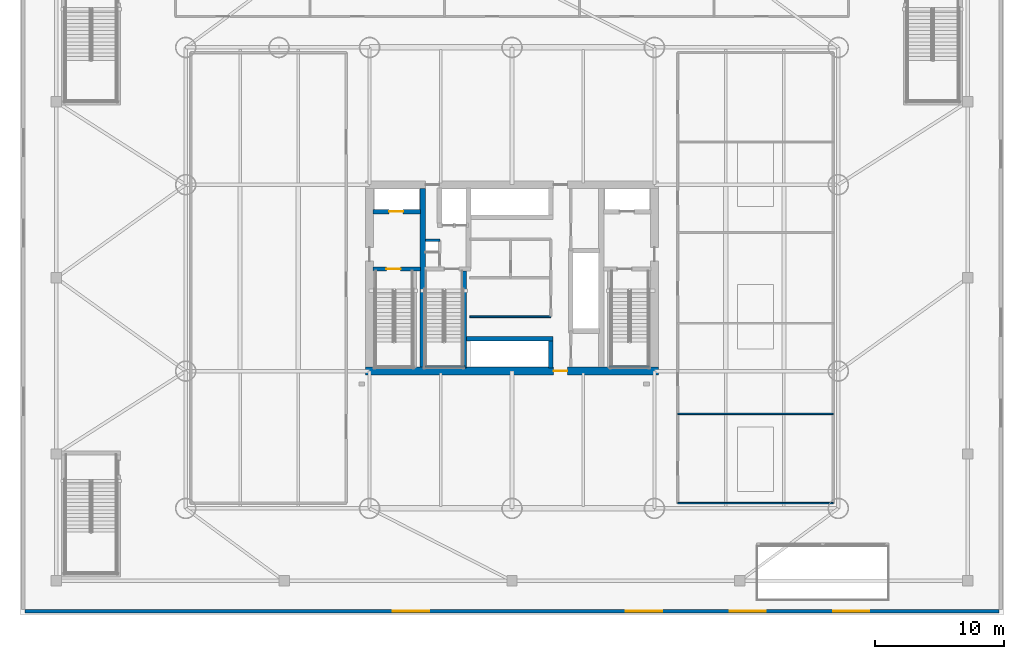
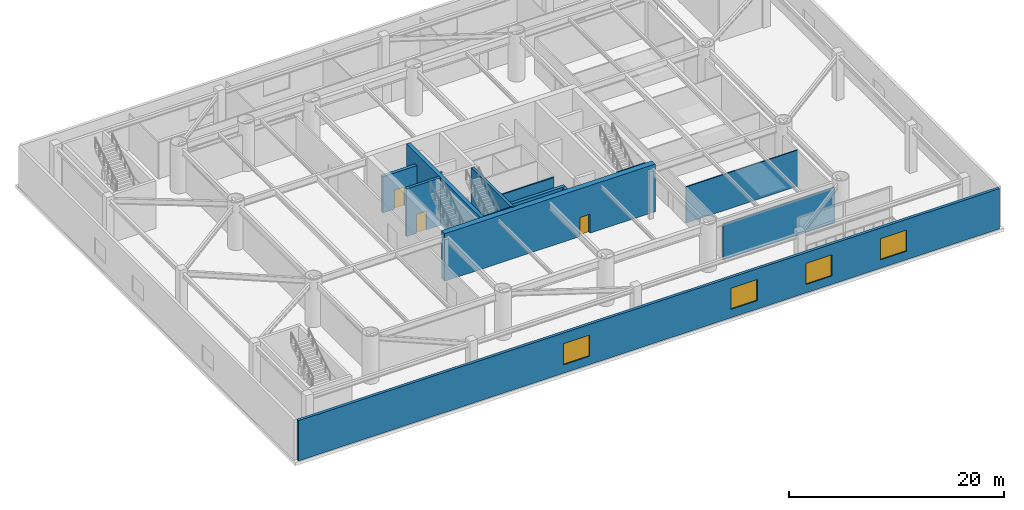
# One storey, part 6 of 16: 14 walls, 4 windows, 3 doors, 7 openings.
"""IFC4 building model written with IfcOpenShell, lengths in metres."""

import ifcopenshell
import ifcopenshell.guid

model = None  # the IFC model being written
_history = None  # IfcOwnerHistory: only IFC2X3 demands one
_inside = {}  # id of a spatial element -> (the spatial element, [elements in it])
_under = {}  # id of a project, library or spatial element -> (it, [spatial elements below it])
_declared = {}  # id of a project -> (the project, [libraries it declares])
_typed = {}  # id of a type object -> (the type object, [elements of that type])
_made_of = {}  # id of a material, layer set ... -> (it, [elements and type objects made of it])


def new_model(schema):
    """Start an empty IFC model of exactly this schema.

    Asked for "IFC4X3", IfcOpenShell would pick the latest addendum, in which some entities
    have other attributes; the version numbers below select the first issue.
    IFC2X3 requires an IfcOwnerHistory on every rooted entity: one is made here for all.
    """
    global model, _history
    if schema == "IFC4X3":
        model = ifcopenshell.file(schema_version=(4, 3, 0, 0))
    else:
        model = ifcopenshell.file(schema=schema)
    _inside.clear()
    _under.clear()
    _declared.clear()
    _typed.clear()
    _made_of.clear()
    _history = None
    if model.schema == "IFC2X3":
        org = make("IfcOrganization", Name="unknown")
        user = make(
            "IfcPersonAndOrganization",
            ThePerson=make("IfcPerson", FamilyName="unknown"),
            TheOrganization=org,
        )
        app = make(
            "IfcApplication",
            ApplicationDeveloper=org,
            Version="unknown",
            ApplicationFullName="unknown",
            ApplicationIdentifier="unknown",
        )
        _history = make(
            "IfcOwnerHistory",
            OwningUser=user,
            OwningApplication=app,
            ChangeAction="ADDED",
            CreationDate=0,
        )
    return model


def make(cls, **values):
    """One entity of the class cls with the attributes given. An attribute that is None is left unset."""
    return model.create_entity(
        cls, **{name: value for name, value in values.items() if value is not None}
    )


def rooted(cls, **values):
    """An entity with a GlobalId (a new one), such as an element, a storey or a relation."""
    return make(cls, GlobalId=ifcopenshell.guid.new(), OwnerHistory=_history, **values)


def si_unit(unit_type, name, prefix=None):
    """IfcSIUnit, for example si_unit("LENGTHUNIT", "METRE", prefix="MILLI")."""
    return make("IfcSIUnit", UnitType=unit_type, Prefix=prefix, Name=name)


def assignment(units):
    """IfcUnitAssignment: the units of a project."""
    return None if units is None else make("IfcUnitAssignment", Units=units)


def point(xyz):
    """IfcCartesianPoint."""
    return None if xyz is None else make("IfcCartesianPoint", Coordinates=xyz)


def direction(xyz):
    """IfcDirection."""
    return None if xyz is None else make("IfcDirection", DirectionRatios=xyz)


def frame(location, z_axis=None, x_axis=None):
    """IfcAxis2Placement3D, a coordinate frame: its origin and axes. An axis left out is left unset."""
    return make(
        "IfcAxis2Placement3D",
        Location=point(location),
        Axis=direction(z_axis),
        RefDirection=direction(x_axis),
    )


def frame_2d(location, x_axis=None):
    """IfcAxis2Placement2D, a coordinate frame in the plane: its origin and x axis."""
    return make(
        "IfcAxis2Placement2D", Location=point(location), RefDirection=direction(x_axis)
    )


def origin():
    """The frame at (0, 0, 0) with its axes left unset."""
    return frame((0.0, 0.0, 0.0))


def place(relative_to, where):
    """IfcLocalPlacement: puts the frame where relative to a parent placement (None: the world)."""
    return make(
        "IfcLocalPlacement", PlacementRelTo=relative_to, RelativePlacement=where
    )


def context(
    kind, dimensions, precision=None, world=None, true_north=None, identifier=None
):
    """IfcGeometricRepresentationContext, for example the 3D "Model" context."""
    return make(
        "IfcGeometricRepresentationContext",
        ContextIdentifier=identifier,
        ContextType=kind,
        CoordinateSpaceDimension=dimensions,
        Precision=precision,
        WorldCoordinateSystem=world,
        TrueNorth=true_north,
    )


def subcontext(parent, identifier, kind, view, scale=None):
    """IfcGeometricRepresentationSubContext, for example "Body" below "Model"."""
    return make(
        "IfcGeometricRepresentationSubContext",
        ContextIdentifier=identifier,
        ContextType=kind,
        ParentContext=parent,
        TargetScale=scale,
        TargetView=view,
    )


def project(units=None, contexts=None):
    """IfcProject with its units and contexts."""
    return rooted(
        "IfcProject",
        Name="project",
        RepresentationContexts=contexts,
        UnitsInContext=assignment(units),
    )


def spatial(cls, under=None, at=None, **own):
    """A site, building, storey or space (cls), placed at a placement, below another one or the project."""
    s = rooted(cls, ObjectPlacement=at, **own)
    if under is not None:
        _under.setdefault(under.id(), (under, []))[1].append(s)
    return s


def profile(cls, at=None, kind="AREA", **sizes):
    """A parametric profile (cls). Its sizes go by their IFC names, for example OverallWidth=200.0."""
    return make(cls, ProfileType=kind, Position=at, **sizes)


def rectangle(**sizes):
    """IfcRectangleProfileDef."""
    return profile("IfcRectangleProfileDef", **sizes)


def extrude(swept, where, along, depth):
    """IfcExtrudedAreaSolid: the profile swept, set in the frame where, extruded along a direction by depth."""
    return make(
        "IfcExtrudedAreaSolid",
        SweptArea=swept,
        Position=where,
        ExtrudedDirection=direction(along),
        Depth=depth,
    )


def shape(context_of_items, identifier, shape_type, items):
    """IfcShapeRepresentation: the items that make up one representation, for example the "Body"."""
    return make(
        "IfcShapeRepresentation",
        ContextOfItems=context_of_items,
        RepresentationIdentifier=identifier,
        RepresentationType=shape_type,
        Items=items,
    )


def material(Name=None, Category=None):
    """IfcMaterial."""
    return make("IfcMaterial", Name=Name, Category=Category)


def layer(
    of_material, thickness, ventilated=None, Name=None, Category=None, Priority=None
):
    """IfcMaterialLayer: one layer of a wall or slab, of a material (None: an air gap)."""
    return make(
        "IfcMaterialLayer",
        Material=of_material,
        LayerThickness=thickness,
        IsVentilated=ventilated,
        Name=Name,
        Category=Category,
        Priority=Priority,
    )


def layer_set(layers, Name=None):
    """IfcMaterialLayerSet."""
    return make("IfcMaterialLayerSet", MaterialLayers=layers, LayerSetName=Name)


def made_of(thing, what):
    """Note that an element or type object is made of a material, layer set ...; save() writes the relation."""
    if what is not None:
        _made_of.setdefault(what.id(), (what, []))[1].append(thing)
    return thing


def type_object(cls, material=None, **own):
    """A type object (cls), such as IfcWallType, which elements share."""
    return made_of(rooted(cls, **own), material)


def element(
    cls,
    number,
    at=None,
    inside=None,
    cuts=None,
    type_object=None,
    material=None,
    context=None,
    identifier="Body",
    shape_type=None,
    held_by="IfcProductDefinitionShape",
    body=None,
    shapes=None,
    **own,
):
    """One element of the class cls, such as IfcWall. Its Tag is "e" and its number.

    at: its placement. inside: the storey or other place that contains it. cuts: it is an
    opening in that element (IfcRelVoidsElement). A single representation is given by context,
    identifier, shape_type and body (its items); several are given by shapes. held_by: the class
    of the entity that holds the representations. save() writes the other relations.
    """
    e = rooted(cls, Tag="e%d" % number, ObjectPlacement=at, **own)
    if body is not None:
        shapes = [shape(context, identifier, shape_type, body)]
    if shapes is not None:
        e.Representation = make(held_by, Representations=shapes)
    if inside is not None:
        _inside.setdefault(inside.id(), (inside, []))[1].append(e)
    if cuts is not None:
        rooted(
            "IfcRelVoidsElement", RelatingBuildingElement=cuts, RelatedOpeningElement=e
        )
    if type_object is not None:
        _typed.setdefault(type_object.id(), (type_object, []))[1].append(e)
    return made_of(e, material)


def fill(opening, filler):
    """IfcRelFillsElement: the door or window that sits in an opening."""
    return rooted(
        "IfcRelFillsElement",
        RelatingOpeningElement=opening,
        RelatedBuildingElement=filler,
    )


def aggregate(whole, parts):
    """IfcRelAggregates: a whole, such as a stair, and the parts it consists of."""
    return rooted("IfcRelAggregates", RelatingObject=whole, RelatedObjects=parts)


def save(model, path):
    """Write the relations noted so far, then the file.

    IfcRelAggregates (storeys below a building ...), IfcRelContainedInSpatialStructure (elements
    in a storey), IfcRelDefinesByType, IfcRelAssociatesMaterial and IfcRelDeclares: one each for
    every whole, place, type object, material and project.
    """
    for whole, parts in _under.values():
        aggregate(whole, parts)
    for where, things in _inside.values():
        rooted(
            "IfcRelContainedInSpatialStructure",
            RelatedElements=things,
            RelatingStructure=where,
        )
    for kind, things in _typed.values():
        rooted("IfcRelDefinesByType", RelatedObjects=things, RelatingType=kind)
    for what, things in _made_of.values():
        rooted("IfcRelAssociatesMaterial", RelatedObjects=things, RelatingMaterial=what)
    for by, libraries in _declared.values():
        rooted("IfcRelDeclares", RelatingContext=by, RelatedDefinitions=libraries)
    model.write(path)


model = new_model("IFC4")

# Units and contexts
model_context = context("Model", 3, precision=1e-05, world=origin(), true_north=direction((0.0, 1.0)))
body_context = subcontext(model_context, "Body", "Model", "MODEL_VIEW")
ifc_project = project(units=[si_unit("LENGTHUNIT", "METRE"), si_unit("AREAUNIT", "SQUARE_METRE"), si_unit("VOLUMEUNIT", "CUBIC_METRE"), si_unit("PLANEANGLEUNIT", "RADIAN"), si_unit("MASSUNIT", "GRAM", prefix="KILO")], contexts=[model_context])

# Site, building, storey
site_placement = place(None, origin())
site = spatial("IfcSite", under=ifc_project, at=site_placement, CompositionType="ELEMENT")
building_placement = place(site_placement, origin())
building = spatial("IfcBuilding", under=site, at=building_placement, Name="Bramvorn Convention Spire", CompositionType="ELEMENT")
storey_placement = place(building_placement, frame((0.0, 0.0, 18.60009765625)))
storey = spatial("IfcBuildingStorey", under=building, at=storey_placement, Name="L03", CompositionType="ELEMENT", Elevation=18.60009765625)

# Wall, opening, door
ifc_material_1 = material(Name="Concrete C60/70", Category="concrete")
ifc_layer_1 = layer(ifc_material_1, 0.60009765625)
ifc_layer_set_1 = layer_set([ifc_layer_1], Name="Concrete C60/70 - WL-CORE-600")
wall_type_1 = type_object("IfcWallType", Name="WL-CORE-600", PredefinedType="SHEAR", material=ifc_layer_set_1)
wall_1_placement = place(storey_placement, frame((26.699951171875, 18.800048828125, 0.0), z_axis=(0.0, 0.0, 1.0), x_axis=(1.0, 0.0, 0.0)))
wall_1 = element("IfcWall", 1, at=wall_1_placement, inside=storey, type_object=wall_type_1, Name="L03 South RC core shear wall", PredefinedType="SHEAR", context=body_context, shape_type="SweptSolid", body=[
    extrude(rectangle(XDim=22.60009765625, YDim=0.60009765625, at=frame_2d((11.300048828125, 0.0))), origin(), (0.0, 0.0, 1.0), 5.39990234375),
])
opening_1_placement = place(wall_1_placement, frame((14.52001953125, 0.0, 0.0)))
opening_1 = element("IfcOpeningElement", 2, at=opening_1_placement, cuts=wall_1, Name="Opening DL-105", PredefinedType="OPENING", context=body_context, shape_type="SweptSolid", body=[
    extrude(rectangle(XDim=1.050048828125, YDim=2.14990234375, at=frame_2d((0.52490234375, 1.074951171875))), frame((0.0, 0.31005859375, 0.0), z_axis=(0.0, -1.0, 0.0), x_axis=(1.0, 0.0, 0.0)), (0.0, 0.0, 1.0), 0.6201171875),
])
ifc_material_2 = material(Name="Smoke-Sealed Fire Lobby Timber-Core Door", Category="wood")
door_type_1 = type_object("IfcDoorType", Name="DR-LOBBY-1050", OperationType="NOTDEFINED", PredefinedType="DOOR", material=ifc_material_2)
door_1_placement = place(opening_1_placement, origin())
door_1 = element("IfcDoor", 3, at=door_1_placement, inside=storey, type_object=door_type_1, Name="L03 South Lift Lobby fire door", OperationType="SINGLE_SWING_RIGHT", OverallHeight=2.14990234375, OverallWidth=1.050048828125, PredefinedType="DOOR", context=body_context, shape_type="SweptSolid", body=[
    extrude(rectangle(XDim=1.050048828125, YDim=2.14990234375, at=frame_2d((0.52490234375, 1.074951171875))), frame((0.0, 0.02490234375, 0.0), z_axis=(0.0, -1.0, 0.0), x_axis=(1.0, 0.0, 0.0)), (0.0, 0.0, 1.0), 0.050048828125),
])
fill(opening_1, door_1)

ifc_material_3 = material(Name="Concrete C50/60", Category="concrete")
ifc_layer_2 = layer(ifc_material_3, 0.35009765625)
ifc_layer_set_2 = layer_set([ifc_layer_2], Name="Concrete C50/60 - WL-CORE-INT-350")
wall_type_2 = type_object("IfcWallType", Name="WL-CORE-INT-350", PredefinedType="SHEAR", material=ifc_layer_set_2)
wall_2_placement = place(storey_placement, frame((27.25, 31.1201171875, 0.0), z_axis=(0.0, 0.0, 1.0), x_axis=(1.0, 0.0, 0.0)))
wall_2 = element("IfcWall", 4, at=wall_2_placement, inside=storey, type_object=wall_type_2, Name="L03 FE1 shaft front wall", PredefinedType="SHEAR", context=body_context, shape_type="SweptSolid", body=[
    extrude(rectangle(XDim=3.669921875, YDim=0.35009765625, at=frame_2d((1.8349609375, 0.0))), origin(), (0.0, 0.0, 1.0), 4.10986328125),
])
opening_2_placement = place(wall_2_placement, frame((1.25, 0.0, 0.0)))
opening_2 = element("IfcOpeningElement", 5, at=opening_2_placement, cuts=wall_2, Name="Opening LD-110", PredefinedType="OPENING", context=body_context, shape_type="SweptSolid", body=[
    extrude(rectangle(XDim=1.10009765625, YDim=2.14990234375, at=frame_2d((0.550048828125, 1.074951171875))), frame((0.0, 0.18505859375, 0.0), z_axis=(0.0, -1.0, 0.0), x_axis=(1.0, 0.0, 0.0)), (0.0, 0.0, 1.0), 0.3701171875),
])
ifc_material_4 = material(Name="Firefighting & Service Lift Sliding Landing Door", Category="steel")
door_type_2 = type_object("IfcDoorType", Name="DR-LIFT-LD-1100", OperationType="NOTDEFINED", PredefinedType="DOOR", material=ifc_material_4)
door_2_placement = place(opening_2_placement, origin())
door_2 = element("IfcDoor", 6, at=door_2_placement, inside=storey, type_object=door_type_2, Name="L03 Lift FE1 Sliding Landing Door", OperationType="SLIDING_TO_LEFT", OverallHeight=2.14990234375, OverallWidth=1.10009765625, PredefinedType="DOOR", context=body_context, shape_type="SweptSolid", body=[
    extrude(rectangle(XDim=1.10009765625, YDim=2.14990234375, at=frame_2d((0.550048828125, 1.074951171875))), frame((0.0, 0.02490234375, 0.0), z_axis=(0.0, -1.0, 0.0), x_axis=(1.0, 0.0, 0.0)), (0.0, 0.0, 1.0), 0.050048828125),
])
fill(opening_2, door_2)

# Walls
wall_3_placement = place(storey_placement, frame((34.489990234375, 21.300048828125, 0.0), z_axis=(0.0, 0.0, 1.0), x_axis=(1.0, 0.0, 0.0)))
element("IfcWall", 7, at=wall_3_placement, inside=storey, type_object=wall_type_2, Name="L03 Mid-rise bank north landing wall", PredefinedType="SHEAR", context=body_context, shape_type="SweptSolid", body=[
    extrude(rectangle(XDim=6.679931640625, YDim=0.35009765625, at=frame_2d((3.33984375, 0.0))), origin(), (0.0, 0.0, 1.0), 4.10986328125),
])
wall_4_placement = place(storey_placement, frame((41.0, 19.050048828125, 0.0), z_axis=(0.0, 0.0, 1.0), x_axis=(0.0, 1.0, 0.0)))
element("IfcWall", 8, at=wall_4_placement, inside=storey, type_object=wall_type_2, Name="L03 Mid-rise bank east cheek wall", PredefinedType="SHEAR", context=body_context, shape_type="SweptSolid", body=[
    extrude(rectangle(XDim=2.079833984375, YDim=0.35009765625, at=frame_2d((1.0400390625, 0.0))), origin(), (0.0, 0.0, 1.0), 4.10986328125),
])
ifc_layer_3 = layer(ifc_material_1, 0.39990234375)
ifc_layer_set_3 = layer_set([ifc_layer_3], Name="Concrete C60/70 - WL-CORE-INT-400")
wall_type_3 = type_object("IfcWallType", Name="WL-CORE-INT-400", PredefinedType="SHEAR", material=ifc_layer_set_3)
wall_5_placement = place(storey_placement, frame((31.10009765625, 19.10009765625, 0.0), z_axis=(0.0, 0.0, 1.0), x_axis=(0.0, 1.0, 0.0)))
element("IfcWall", 9, at=wall_5_placement, inside=storey, type_object=wall_type_3, Name="L03 West internal core shear web", PredefinedType="SHEAR", context=body_context, shape_type="SweptSolid", body=[
    extrude(rectangle(XDim=13.7998046875, YDim=0.39990234375, at=frame_2d((6.89990234375, 0.0))), origin(), (0.0, 0.0, 1.0), 5.39990234375),
])

# Wall, openings, windows
ifc_material_5 = material(Name="Precast Concrete C40/50 with Bronze Terracotta Rainscreen", Category="masonry")
ifc_layer_4 = layer(ifc_material_5, 0.300048828125)
ifc_layer_set_4 = layer_set([ifc_layer_4], Name="Precast Concrete C40/50 with Bronze Terracotta Rainscreen - WL-EXT-BRONZE-300")
wall_type_4 = type_object("IfcWallType", Name="WL-EXT-BRONZE-300", PredefinedType="SOLIDWALL", material=ifc_layer_set_4)
wall_6_placement = place(storey_placement, frame((75.60009765625, 0.25, 0.0), z_axis=(0.0, 0.0, 1.0), x_axis=(-1.0, 0.0, 0.0)))
wall_6 = element("IfcWall", 10, at=wall_6_placement, inside=storey, type_object=wall_type_4, Name="L03 South podium bronze facade wall", PredefinedType="SOLIDWALL", context=body_context, shape_type="SweptSolid", body=[
    extrude(rectangle(XDim=75.2001953125, YDim=0.300048828125, at=frame_2d((37.60009765625, 0.0))), origin(), (0.0, 0.0, 1.0), 4.559814453125),
])
opening_3_placement = place(wall_6_placement, frame((10.0, 0.0, 0.949951171875)))
opening_3 = element("IfcOpeningElement", 11, at=opening_3_placement, cuts=wall_6, Name="Opening WN09", PredefinedType="OPENING", context=body_context, shape_type="SweptSolid", body=[
    extrude(rectangle(XDim=2.800048828125, YDim=2.39990234375, at=frame_2d((1.39990234375, 1.199951171875))), frame((0.0, 0.159912109375, 0.0), z_axis=(0.0, -1.0, 0.0), x_axis=(1.0, 0.0, 0.0)), (0.0, 0.0, 1.0), 0.320068359375),
])
opening_4_placement = place(wall_6_placement, frame((18.0, 0.0, 0.949951171875)))
opening_4 = element("IfcOpeningElement", 12, at=opening_4_placement, cuts=wall_6, Name="Opening WN09", PredefinedType="OPENING", context=body_context, shape_type="SweptSolid", body=[
    extrude(rectangle(XDim=2.800048828125, YDim=2.39990234375, at=frame_2d((1.39990234375, 1.199951171875))), frame((0.0, 0.159912109375, 0.0), z_axis=(0.0, -1.0, 0.0), x_axis=(1.0, 0.0, 0.0)), (0.0, 0.0, 1.0), 0.320068359375),
])
opening_5_placement = place(wall_6_placement, frame((26.0, 0.0, 0.949951171875)))
opening_5 = element("IfcOpeningElement", 13, at=opening_5_placement, cuts=wall_6, Name="Opening WN09", PredefinedType="OPENING", context=body_context, shape_type="SweptSolid", body=[
    extrude(rectangle(XDim=2.800048828125, YDim=2.39990234375, at=frame_2d((1.39990234375, 1.199951171875))), frame((0.0, 0.159912109375, 0.0), z_axis=(0.0, -1.0, 0.0), x_axis=(1.0, 0.0, 0.0)), (0.0, 0.0, 1.0), 0.320068359375),
])
opening_6_placement = place(wall_6_placement, frame((44.0, 0.0, 0.949951171875)))
opening_6 = element("IfcOpeningElement", 14, at=opening_6_placement, cuts=wall_6, Name="Opening WN09", PredefinedType="OPENING", context=body_context, shape_type="SweptSolid", body=[
    extrude(rectangle(XDim=2.800048828125, YDim=2.39990234375, at=frame_2d((1.39990234375, 1.199951171875))), frame((0.0, 0.159912109375, 0.0), z_axis=(0.0, -1.0, 0.0), x_axis=(1.0, 0.0, 0.0)), (0.0, 0.0, 1.0), 0.320068359375),
])
ifc_material_6 = material(Name="Thermally Broken Bronze Aluminium & Triple Low-E Glass", Category="aluminium")
window_type = type_object("IfcWindowType", Name="WN-POD-2800X2400", PartitioningType="SINGLE_PANEL", PredefinedType="WINDOW", material=ifc_material_6)
window_1_placement = place(opening_3_placement, origin())
window_1 = element("IfcWindow", 15, at=window_1_placement, inside=storey, type_object=window_type, Name="L03 South operable convention window 1", OverallHeight=2.39990234375, OverallWidth=2.800048828125, PartitioningType="SINGLE_PANEL", PredefinedType="WINDOW", context=body_context, shape_type="SweptSolid", body=[
    extrude(rectangle(XDim=2.800048828125, YDim=2.39990234375, at=frame_2d((1.39990234375, 1.199951171875))), frame((0.0, 0.030029296875, 0.0), z_axis=(0.0, -1.0, 0.0), x_axis=(1.0, 0.0, 0.0)), (0.0, 0.0, 1.0), 0.06005859375),
])
fill(opening_3, window_1)
window_2_placement = place(opening_4_placement, origin())
window_2 = element("IfcWindow", 16, at=window_2_placement, inside=storey, type_object=window_type, Name="L03 South operable convention window 2", OverallHeight=2.39990234375, OverallWidth=2.800048828125, PartitioningType="SINGLE_PANEL", PredefinedType="WINDOW", context=body_context, shape_type="SweptSolid", body=[
    extrude(rectangle(XDim=2.800048828125, YDim=2.39990234375, at=frame_2d((1.39990234375, 1.199951171875))), frame((0.0, 0.030029296875, 0.0), z_axis=(0.0, -1.0, 0.0), x_axis=(1.0, 0.0, 0.0)), (0.0, 0.0, 1.0), 0.06005859375),
])
fill(opening_4, window_2)
window_3_placement = place(opening_5_placement, origin())
window_3 = element("IfcWindow", 17, at=window_3_placement, inside=storey, type_object=window_type, Name="L03 South operable convention window 3", OverallHeight=2.39990234375, OverallWidth=2.800048828125, PartitioningType="SINGLE_PANEL", PredefinedType="WINDOW", context=body_context, shape_type="SweptSolid", body=[
    extrude(rectangle(XDim=2.800048828125, YDim=2.39990234375, at=frame_2d((1.39990234375, 1.199951171875))), frame((0.0, 0.030029296875, 0.0), z_axis=(0.0, -1.0, 0.0), x_axis=(1.0, 0.0, 0.0)), (0.0, 0.0, 1.0), 0.06005859375),
])
fill(opening_5, window_3)
window_4_placement = place(opening_6_placement, origin())
window_4 = element("IfcWindow", 18, at=window_4_placement, inside=storey, type_object=window_type, Name="L03 South operable convention window 4", OverallHeight=2.39990234375, OverallWidth=2.800048828125, PartitioningType="SINGLE_PANEL", PredefinedType="WINDOW", context=body_context, shape_type="SweptSolid", body=[
    extrude(rectangle(XDim=2.800048828125, YDim=2.39990234375, at=frame_2d((1.39990234375, 1.199951171875))), frame((0.0, 0.030029296875, 0.0), z_axis=(0.0, -1.0, 0.0), x_axis=(1.0, 0.0, 0.0)), (0.0, 0.0, 1.0), 0.06005859375),
])
fill(opening_6, window_4)

# Walls
ifc_material_7 = material(Name="Lightweight En-Suite & Wet-Wall Partition", Category="gypsum")
ifc_layer_5 = layer(ifc_material_7, 0.110107421875)
ifc_layer_set_5 = layer_set([ifc_layer_5], Name="Lightweight En-Suite & Wet-Wall Partition - WL-PART-110")
wall_type_5 = type_object("IfcWallType", Name="WL-PART-110", PredefinedType="PARTITIONING", material=ifc_layer_set_5)
for number, where, z_axis, x_axis, name in (
    (19, (50.800048828125, 8.60009765625, 0.0), (0.0, 0.0, 1.0), (1.0, 0.0, 0.0), "L03 Seminar divider 0"),
    (20, (50.800048828125, 15.5, 0.0), (0.0, 0.0, 1.0), (1.0, 0.0, 0.0), "L03 Seminar divider 1"),
):
    element("IfcWall", number, at=place(storey_placement, frame(where, z_axis=z_axis, x_axis=x_axis)), inside=storey, type_object=wall_type_5, Name=name, PredefinedType="PARTITIONING", context=body_context, shape_type="SweptSolid", body=[
        extrude(rectangle(XDim=12.0, YDim=0.110107421875, at=frame_2d((6.0, 0.0))), origin(), (0.0, 0.0, 1.0), 4.10986328125),
    ])
ifc_material_8 = material(Name="Acoustic Metal-Stud Tenant/Corridor Partition", Category="gypsum")
ifc_layer_6 = layer(ifc_material_8, 0.14990234375)
ifc_layer_set_6 = layer_set([ifc_layer_6], Name="Acoustic Metal-Stud Tenant/Corridor Partition - WL-PART-150")
wall_type_6 = type_object("IfcWallType", Name="WL-PART-150", PredefinedType="PARTITIONING", material=ifc_layer_set_6)
wall_7_placement = place(storey_placement, frame((34.75, 23.0, 0.0), z_axis=(0.0, 0.0, 1.0), x_axis=(1.0, 0.0, 0.0)))
element("IfcWall", 21, at=wall_7_placement, inside=storey, type_object=wall_type_6, Name="L03 Mid-rise lift vestibule north wall", PredefinedType="PARTITIONING", context=body_context, shape_type="SweptSolid", body=[
    extrude(rectangle(XDim=6.25, YDim=0.14990234375, at=frame_2d((3.125, 0.0))), origin(), (0.0, 0.0, 1.0), 4.10986328125),
])
ifc_material_9 = material(Name="Gypsum Shaftwall & Rockwool Core Partition", Category="gypsum")
ifc_layer_7 = layer(ifc_material_9, 0.199951171875)
ifc_layer_set_7 = layer_set([ifc_layer_7], Name="Gypsum Shaftwall & Rockwool Core Partition - WL-PART-200-FR")
wall_type_7 = type_object("IfcWallType", Name="WL-PART-200-FR", PredefinedType="PARTITIONING", material=ifc_layer_set_7)
wall_8_placement = place(storey_placement, frame((31.300048828125, 28.89990234375, 0.0), z_axis=(0.0, 0.0, 1.0), x_axis=(1.0, 0.0, 0.0)))
element("IfcWall", 22, at=wall_8_placement, inside=storey, type_object=wall_type_7, Name="L03 Telecom riser north wall", PredefinedType="PARTITIONING", context=body_context, shape_type="SweptSolid", body=[
    extrude(rectangle(XDim=1.119873046875, YDim=0.199951171875, at=frame_2d((0.56005859375, 0.0))), origin(), (0.0, 0.0, 1.0), 4.10986328125),
])

# Wall, opening, door
ifc_layer_8 = layer(ifc_material_3, 0.300048828125)
ifc_layer_set_8 = layer_set([ifc_layer_8], Name="Concrete C50/60 - WL-POD-STAIR-300")
wall_type_8 = type_object("IfcWallType", Name="WL-POD-STAIR-300", PredefinedType="SHEAR", material=ifc_layer_set_8)
wall_9_placement = place(storey_placement, frame((27.25, 26.68994140625, 0.0), z_axis=(0.0, 0.0, 1.0), x_axis=(1.0, 0.0, 0.0)))
wall_9 = element("IfcWall", 23, at=wall_9_placement, inside=storey, type_object=wall_type_8, Name="L03 ST1 north fire wall", PredefinedType="SHEAR", context=body_context, shape_type="SweptSolid", body=[
    extrude(rectangle(XDim=3.669921875, YDim=0.300048828125, at=frame_2d((1.8349609375, 0.0))), origin(), (0.0, 0.0, 1.0), 5.39990234375),
])
opening_7_placement = place(wall_9_placement, frame((1.050048828125, 0.0, 0.0)))
opening_7 = element("IfcOpeningElement", 24, at=opening_7_placement, cuts=wall_9, Name="Opening DS-110", PredefinedType="OPENING", context=body_context, shape_type="SweptSolid", body=[
    extrude(rectangle(XDim=1.10009765625, YDim=2.14990234375, at=frame_2d((0.550048828125, 1.074951171875))), frame((0.0, 0.159912109375, 0.0), z_axis=(0.0, -1.0, 0.0), x_axis=(1.0, 0.0, 0.0)), (0.0, 0.0, 1.0), 0.320068359375),
])
ifc_material_10 = material(Name="Fire-Rated Hollow Steel Stairwell Door", Category="steel")
door_type_3 = type_object("IfcDoorType", Name="DR-STAIR-1100", OperationType="NOTDEFINED", PredefinedType="DOOR", material=ifc_material_10)
door_3_placement = place(opening_7_placement, origin())
door_3 = element("IfcDoor", 25, at=door_3_placement, inside=storey, type_object=door_type_3, Name="L03 Stair ST1 fire door", OperationType="SINGLE_SWING_LEFT", OverallHeight=2.14990234375, OverallWidth=1.10009765625, PredefinedType="DOOR", context=body_context, shape_type="SweptSolid", body=[
    extrude(rectangle(XDim=1.10009765625, YDim=2.14990234375, at=frame_2d((0.550048828125, 1.074951171875))), frame((0.0, 0.02490234375, 0.0), z_axis=(0.0, -1.0, 0.0), x_axis=(1.0, 0.0, 0.0)), (0.0, 0.0, 1.0), 0.050048828125),
])
fill(opening_7, door_3)

# Walls
wall_10_placement = place(storey_placement, frame((34.340087890625, 19.050048828125, 0.0), z_axis=(0.0, 0.0, 1.0), x_axis=(0.0, 1.0, 0.0)))
element("IfcWall", 26, at=wall_10_placement, inside=storey, type_object=wall_type_8, Name="L03 ST3 east bearing wall", PredefinedType="SHEAR", context=body_context, shape_type="SweptSolid", body=[
    extrude(rectangle(XDim=7.5, YDim=0.300048828125, at=frame_2d((3.75, 0.0))), origin(), (0.0, 0.0, 1.0), 5.39990234375),
])
ifc_layer_9 = layer(ifc_material_3, 0.1201171875)
ifc_layer_set_9 = layer_set([ifc_layer_9], Name="Concrete C50/60 - WL-STAIR-RC-120")
wall_type_9 = type_object("IfcWallType", Name="WL-STAIR-RC-120", PredefinedType="SHEAR", material=ifc_layer_set_9)
wall_11_placement = place(storey_placement, frame((45.510009765625, 19.159912109375, 0.0), z_axis=(0.0, 0.0, 1.0), x_axis=(1.0, 0.0, 0.0)))
element("IfcWall", 27, at=wall_11_placement, inside=storey, type_object=wall_type_9, Name="L03 ST2 south bearing shear wall", PredefinedType="SHEAR", context=body_context, shape_type="SweptSolid", body=[
    extrude(rectangle(XDim=3.094970703125, YDim=0.1201171875, at=frame_2d((1.54736328125, 0.0))), origin(), (0.0, 0.0, 1.0), 5.39990234375),
])
wall_12_placement = place(storey_placement, frame((31.300048828125, 19.159912109375, 0.0), z_axis=(0.0, 0.0, 1.0), x_axis=(1.0, 0.0, 0.0)))
element("IfcWall", 28, at=wall_12_placement, inside=storey, type_object=wall_type_9, Name="L03 ST3 south bearing shear wall", PredefinedType="SHEAR", context=body_context, shape_type="SweptSolid", body=[
    extrude(rectangle(XDim=3.0400390625, YDim=0.1201171875, at=frame_2d((1.52001953125, 0.0))), origin(), (0.0, 0.0, 1.0), 5.39990234375),
])

save(model, "model.ifc")
